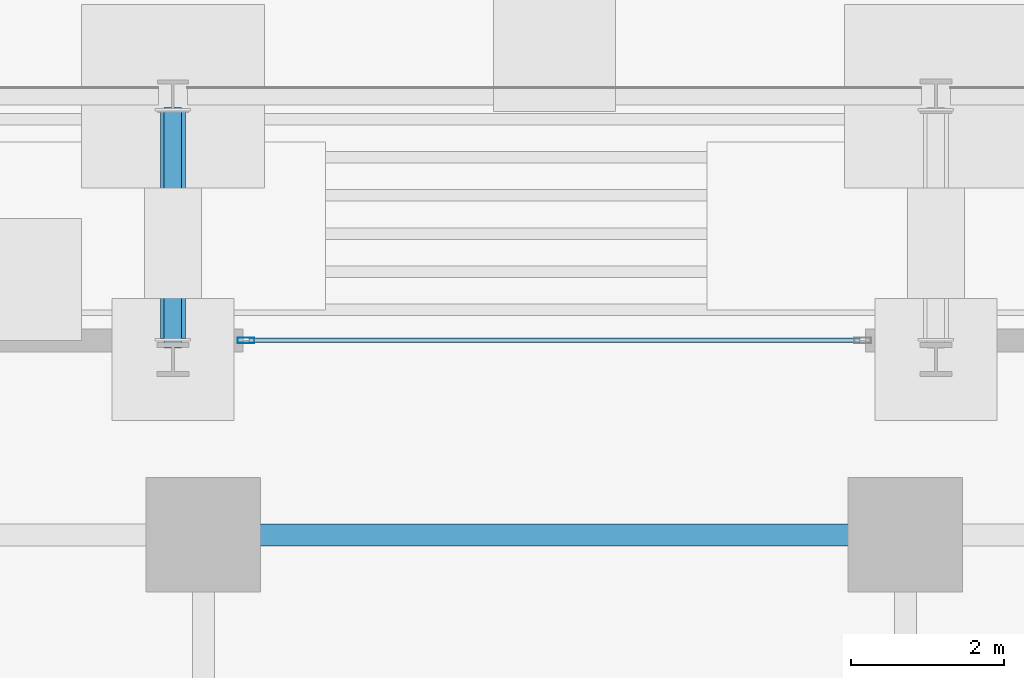
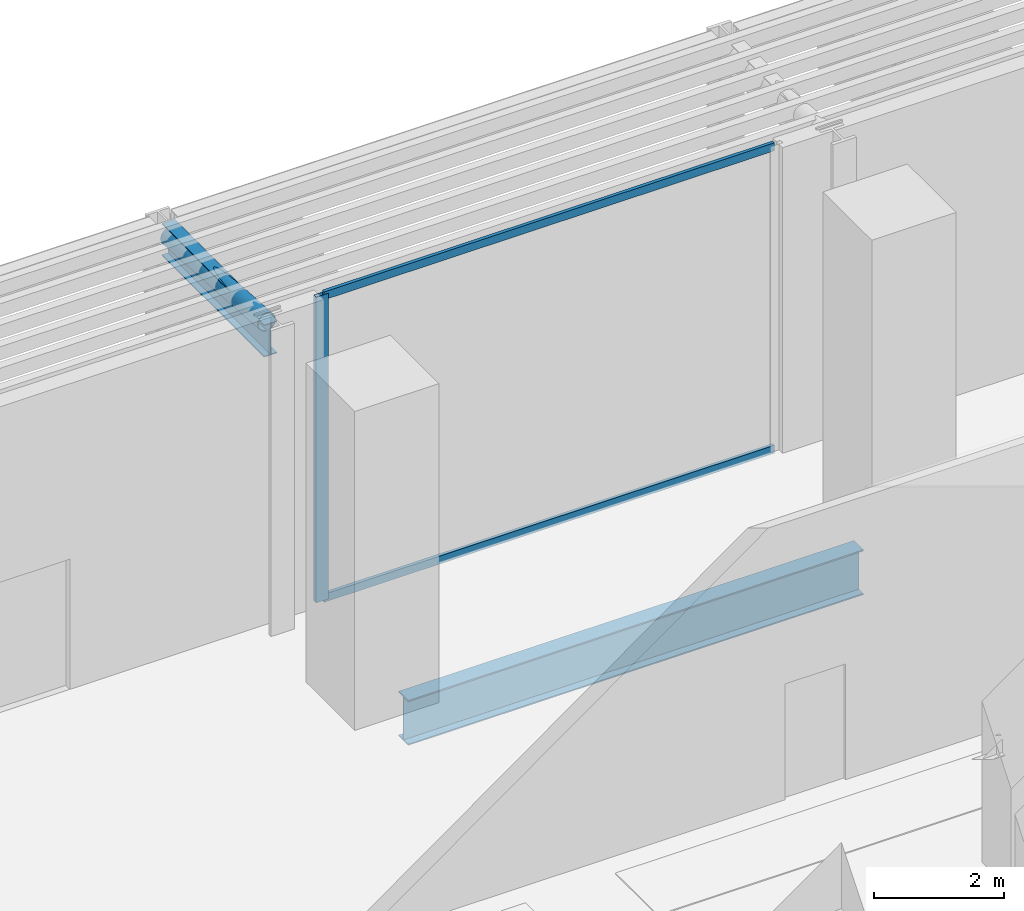
# One storey, part 18 of 39: 4 members, 2 beams, 1 element without a shape of its own.
"""IFC4 building model written with IfcOpenShell, lengths in metres."""

from ifc_helpers import new_model, si_unit, direction, frame, origin, origin_2d, place, context, subcontext, project, spatial, hollow_rectangle, hollow_circle, i_section, extrude, material, layer, layer_set, material_profile, profile_set, type_object, element, aggregate, save


model = new_model("IFC4")

# Units and contexts
model_context = context("Model", 3, precision=1e-05, world=origin(), true_north=direction((0.0, 1.0)))
body_context = subcontext(model_context, "Body", "Model", "MODEL_VIEW")
ifc_project = project(units=[si_unit("LENGTHUNIT", "METRE"), si_unit("AREAUNIT", "SQUARE_METRE"), si_unit("VOLUMEUNIT", "CUBIC_METRE"), si_unit("PLANEANGLEUNIT", "RADIAN"), si_unit("MASSUNIT", "GRAM", prefix="KILO")], contexts=[model_context])

# Site, building, storey
site_placement = place(None, origin())
site = spatial("IfcSite", under=ifc_project, at=site_placement, CompositionType="ELEMENT")
building_placement = place(site_placement, origin())
building = spatial("IfcBuilding", under=site, at=building_placement, Name="Zuhayl Quay Hotel", CompositionType="ELEMENT")
storey_placement = place(building_placement, origin())
storey = spatial("IfcBuildingStorey", under=building, at=storey_placement, Name="L00", CompositionType="ELEMENT", Elevation=0.0)

# Beams
ifc_material_1 = material(Name="Steel ASTM A992 Grade 50", Category="steel")
ifc_material_profile_1 = material_profile(ifc_material_1, i_section(OverallWidth=0.22802734375, OverallDepth=0.60693359375, WebThickness=0.01123046875, FlangeThickness=0.017333984375, at=origin_2d()), Name="W24X76")
ifc_profile_set_1 = profile_set([ifc_material_profile_1], Name="Steel ASTM A992 Grade 50")
beam_type_1 = type_object("IfcBeamType", Name="BM_B3_W24X76", PredefinedType="BEAM", material=ifc_profile_set_1)
beam_1_placement = place(storey_placement, frame((-5.0, 24.89990234375, 5.300048828125), z_axis=(0.0, 1.0, 0.0), x_axis=(-1.0, 0.0, 0.0)))
element("IfcBeam", 1, at=beam_1_placement, inside=storey, type_object=beam_type_1, Name="Waterfront Canopy Cantilever Tie 3", PredefinedType="BEAM", context=body_context, shape_type="SweptSolid", body=[
    extrude(i_section(OverallWidth=0.22802734375, OverallDepth=0.60693359375, WebThickness=0.01123046875, FlangeThickness=0.017333984375, at=origin_2d()), origin(), (0.0, 0.0, 1.0), 3.150146484375),
])
ifc_material_profile_2 = material_profile(ifc_material_1, i_section(OverallWidth=0.2919921875, OverallDepth=0.845947265625, WebThickness=0.015380859375, FlangeThickness=0.0244140625, at=origin_2d()), Name="W33X141")
ifc_profile_set_2 = profile_set([ifc_material_profile_2], Name="Steel ASTM A992 Grade 50")
beam_type_2 = type_object("IfcBeamType", Name="BM_PG3_W33X141", PredefinedType="BEAM", material=ifc_profile_set_2)
beam_2_placement = place(storey_placement, frame((-4.050048828125, 22.449951171875, -0.68310546875), z_axis=(1.0, 0.0, 0.0), x_axis=(0.0, 1.0, 0.0)))
element("IfcBeam", 2, at=beam_2_placement, inside=storey, type_object=beam_type_2, Name="L00 Floor Beam PG_N_L00_3", PredefinedType="BEAM", context=body_context, shape_type="SweptSolid", body=[
    extrude(i_section(OverallWidth=0.2919921875, OverallDepth=0.845947265625, WebThickness=0.015380859375, FlangeThickness=0.0244140625, at=origin_2d()), origin(), (0.0, 0.0, 1.0), 8.10009765625),
])

# Member
ifc_material_2 = material(Name="Steel ASTM A500 Grade C", Category="steel")
ifc_material_profile_3 = material_profile(ifc_material_2, hollow_circle(Radius=0.161865234375, WallThickness=0.012451171875, at=origin_2d()), Name="CHS324X12")
ifc_profile_set_3 = profile_set([ifc_material_profile_3], Name="Steel ASTM A500 Grade C")
member_type_1 = type_object("IfcMemberType", Name="MB_CN_CHS324", PredefinedType="STRUT", material=ifc_profile_set_3)
member_1_placement = place(storey_placement, frame((-5.0, 25.02001953125, 5.550048828125), z_axis=(0.0, 0.997771438089, -0.066724488266), x_axis=(-1.0, 0.0, 0.0)))
element("IfcMember", 3, at=member_1_placement, inside=storey, type_object=member_type_1, Name="Waterfront Canopy Diagonal Hanger Strut 3", PredefinedType="STRUT", context=body_context, shape_type="SweptSolid", body=[
    extrude(hollow_circle(Radius=0.161865234375, WallThickness=0.012451171875, at=origin_2d()), origin(), (0.0, 0.0, 1.0), 2.99658203125),
])

# Curtain wall, members
ifc_material_3 = material(Name="Anodised Aluminium 6063-T6", Category="aluminium")
ifc_layer = layer(ifc_material_3, 0.199951171875, Name="Anodised Aluminium 6063-T6", Category="aluminium")
ifc_layer_set = layer_set([ifc_layer], Name="Anodised Aluminium 6063-T6")
curtain_wall_type = type_object("IfcCurtainWallType", Name="CW_SYS_POD", PredefinedType="USERDEFINED", material=ifc_layer_set)
curtain_wall_placement = place(storey_placement, origin())
curtain_wall = element("IfcCurtainWall", 4, at=curtain_wall_placement, inside=storey, type_object=curtain_wall_type, Name="L00 Curtain Wall ENV_L00_E05_CW3", ObjectType="UNITISED CURTAIN WALL", PredefinedType="USERDEFINED")
ifc_material_4 = material(Name="Black-anodised aluminium 6063-T6", Category="aluminium")
ifc_material_profile_4 = material_profile(ifc_material_4, hollow_rectangle(XDim=0.074951171875, YDim=0.219970703125, WallThickness=0.00390625, at=origin_2d()), Name="ALU220X75")
ifc_profile_set_4 = profile_set([ifc_material_profile_4], Name="Black-anodised aluminium 6063-T6")
member_type_2 = type_object("IfcMemberType", Name="MB_CW_MUL_220", PredefinedType="MULLION", material=ifc_profile_set_4)
member_2_placement = place(storey_placement, frame((-4.04248046875, 25.0, 0.0), z_axis=(0.0, 0.0, 1.0), x_axis=(0.0, 1.0, 0.0)))
member_2 = element("IfcMember", 5, at=member_2_placement, type_object=member_type_2, Name="CW-POD mullion 1", PredefinedType="MULLION", context=body_context, shape_type="SweptSolid", body=[
    extrude(hollow_rectangle(XDim=0.074951171875, YDim=0.219970703125, WallThickness=0.00390625, at=origin_2d()), origin(), (0.0, 0.0, 1.0), 5.75),
])
ifc_material_profile_5 = material_profile(ifc_material_4, hollow_rectangle(XDim=0.06005859375, YDim=0.14990234375, WallThickness=0.00341796875, at=origin_2d()), Name="ALU150X60")
ifc_profile_set_5 = profile_set([ifc_material_profile_5], Name="Black-anodised aluminium 6063-T6")
member_type_3 = type_object("IfcMemberType", Name="MB_CW_TRN_150", PredefinedType="USERDEFINED", material=ifc_profile_set_5)
member_3_placement = place(storey_placement, frame((-4.0048828125, 25.0, 0.030029296875), z_axis=(1.0, 0.0, 0.0), x_axis=(0.0, 1.0, 0.0)))
member_3 = element("IfcMember", 6, at=member_3_placement, type_object=member_type_3, Name="CW-POD transom 1.1", ObjectType="TRANSOM", PredefinedType="USERDEFINED", context=body_context, shape_type="SweptSolid", body=[
    extrude(hollow_rectangle(XDim=0.06005859375, YDim=0.14990234375, WallThickness=0.00341796875, at=origin_2d()), origin(), (0.0, 0.0, 1.0), 8.009765625),
])
member_4_placement = place(storey_placement, frame((-4.0048828125, 25.0, 5.719970703125), z_axis=(1.0, 0.0, 0.0), x_axis=(0.0, 1.0, 0.0)))
member_4 = element("IfcMember", 7, at=member_4_placement, type_object=member_type_3, Name="CW-POD transom 1.2", ObjectType="TRANSOM", PredefinedType="USERDEFINED", context=body_context, shape_type="SweptSolid", body=[
    extrude(hollow_rectangle(XDim=0.06005859375, YDim=0.14990234375, WallThickness=0.00341796875, at=origin_2d()), origin(), (0.0, 0.0, 1.0), 8.009765625),
])
aggregate(curtain_wall, [member_2, member_3, member_4])

save(model, "model.ifc")
